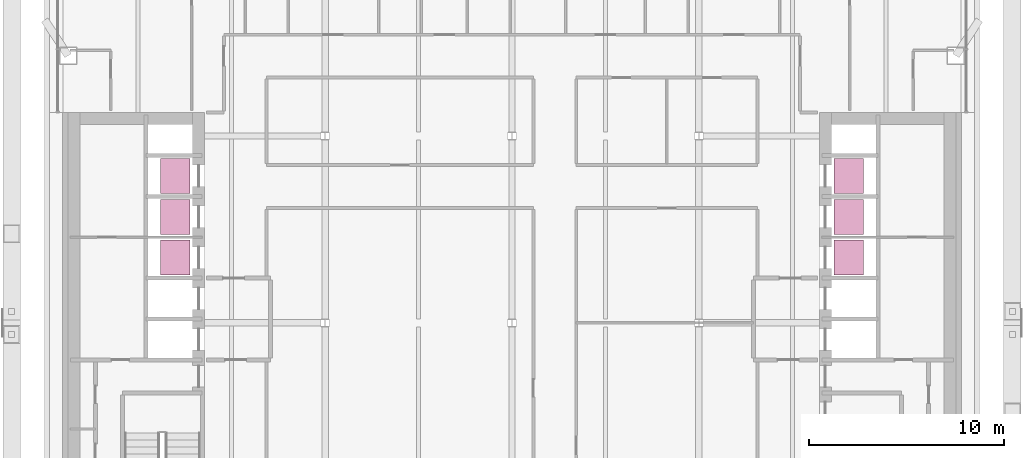
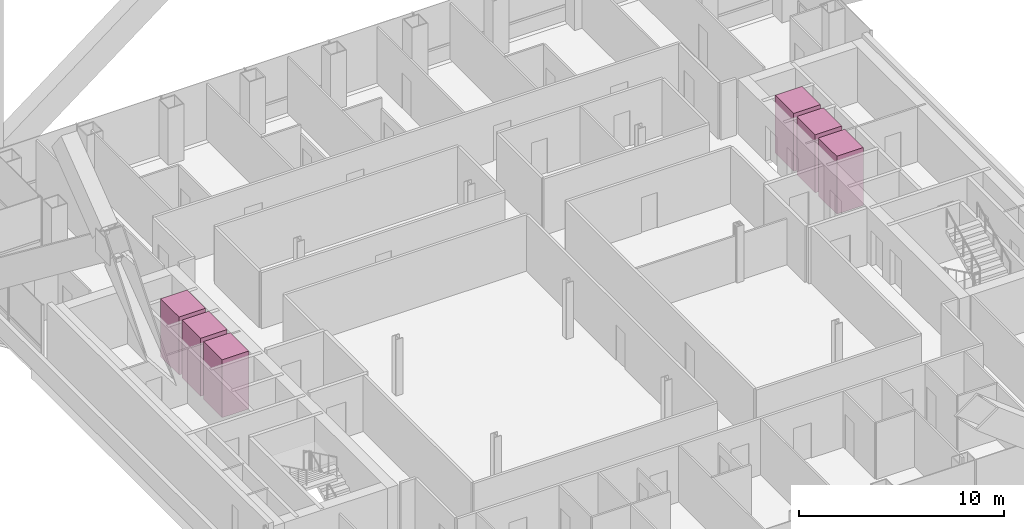
# One storey, part 22 of 22: 6 transport elements.
"""IFC4 building model written with IfcOpenShell, lengths in metres."""

from ifc_helpers import new_model, si_unit, direction, frame, origin, origin_2d, place, context, subcontext, project, spatial, rectangle, extrude, material, type_object, element, save


model = new_model("IFC4")

# Units and contexts
model_context = context("Model", 3, precision=1e-05, world=origin(), true_north=direction((0.0, 1.0)))
body_context = subcontext(model_context, "Body", "Model", "MODEL_VIEW")
ifc_project = project(units=[si_unit("LENGTHUNIT", "METRE"), si_unit("AREAUNIT", "SQUARE_METRE"), si_unit("VOLUMEUNIT", "CUBIC_METRE"), si_unit("PLANEANGLEUNIT", "RADIAN"), si_unit("MASSUNIT", "GRAM", prefix="KILO")], contexts=[model_context])

# Site, building, storey
site_placement = place(None, origin())
site = spatial("IfcSite", under=ifc_project, at=site_placement, CompositionType="ELEMENT")
building_placement = place(site_placement, origin())
building = spatial("IfcBuilding", under=site, at=building_placement, Name="Cobrizo Arcos Hotel Tower", CompositionType="ELEMENT")
storey_placement = place(building_placement, frame((0.0, 0.0, 89.0)))
storey = spatial("IfcBuildingStorey", under=building, at=storey_placement, Name="L21", CompositionType="ELEMENT", Elevation=89.0)

# Transport elements
ifc_material = material(Name="Stainless steel car", Category="steel")
transport_element_type = type_object("IfcTransportElementType", Name="Lift car Low 1.8x1.5", PredefinedType="ELEVATOR", material=ifc_material)
for number, where, z_axis, x_axis, name in (
    (1, (-17.300048828125, 3.35009765625, 0.0), (0.0, 0.0, 1.0), (1.0, 0.0, 0.0), "Low-rise passenger lift W1"),
    (2, (-17.300048828125, 5.449951171875, 0.0), (0.0, 0.0, 1.0), (1.0, 0.0, 0.0), "Low-rise passenger lift W2"),
    (3, (-17.300048828125, 7.550048828125, 0.0), (0.0, 0.0, 1.0), (1.0, 0.0, 0.0), "Low-rise passenger lift W3"),
    (4, (17.300048828125, 3.35009765625, 0.0), (0.0, 0.0, 1.0), (1.0, 0.0, 0.0), "Low-rise passenger lift E1"),
    (5, (17.300048828125, 5.449951171875, 0.0), (0.0, 0.0, 1.0), (1.0, 0.0, 0.0), "Low-rise passenger lift E2"),
    (6, (17.300048828125, 7.550048828125, 0.0), (0.0, 0.0, 1.0), (1.0, 0.0, 0.0), "Low-rise passenger lift E3"),
):
    element("IfcTransportElement", number, at=place(storey_placement, frame(where, z_axis=z_axis, x_axis=x_axis)), inside=storey, type_object=transport_element_type, Name=name, PredefinedType="ELEVATOR", context=body_context, shape_type="SweptSolid", body=[
        extrude(rectangle(XDim=1.5, YDim=1.800048828125, at=origin_2d()), origin(), (0.0, 0.0, 1.0), 3.449951171875),
    ])

save(model, "model.ifc")
